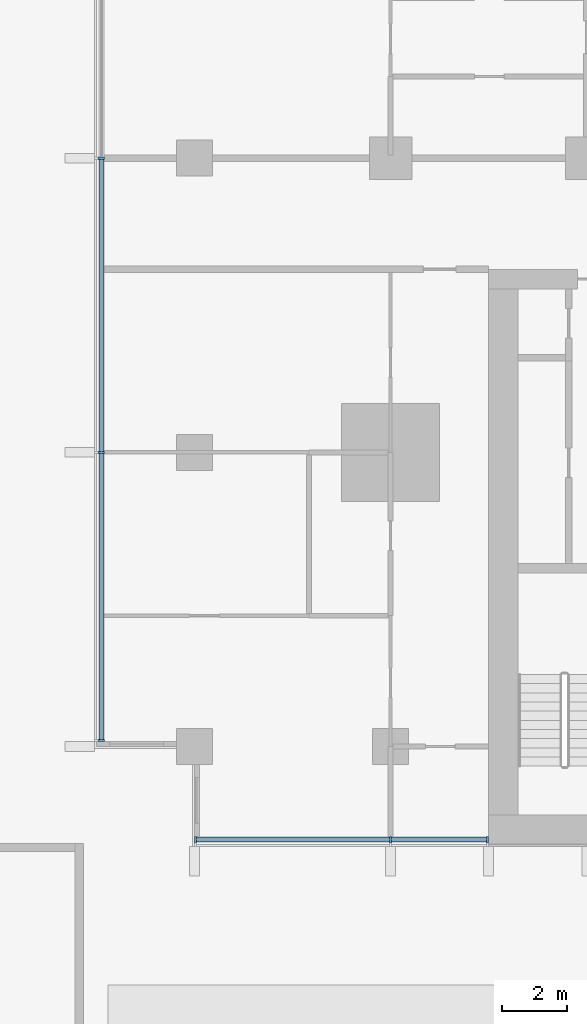
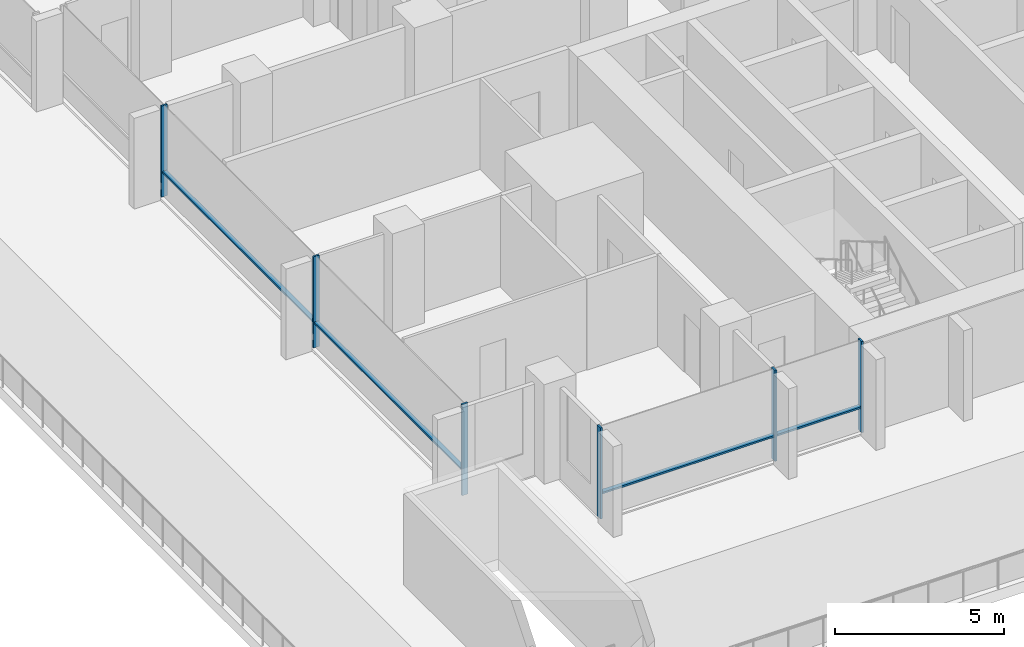
# One storey, part 2 of 25: 10 members, 2 elements without a shape of their own.
"""IFC4 building model written with IfcOpenShell, lengths in metres."""

from ifc_helpers import new_model, si_unit, direction, frame, origin, origin_2d, place, context, subcontext, project, spatial, rectangle, extrude, material, material_profile, profile_set, type_object, element, aggregate, save


model = new_model("IFC4")

# Units and contexts
model_context = context("Model", 3, precision=1e-05, world=origin(), true_north=direction((0.0, 1.0)))
body_context = subcontext(model_context, "Body", "Model", "MODEL_VIEW")
ifc_project = project(units=[si_unit("LENGTHUNIT", "METRE"), si_unit("AREAUNIT", "SQUARE_METRE"), si_unit("VOLUMEUNIT", "CUBIC_METRE"), si_unit("PLANEANGLEUNIT", "RADIAN"), si_unit("MASSUNIT", "GRAM", prefix="KILO")], contexts=[model_context])

# Site, building, storey
site_placement = place(None, origin())
site = spatial("IfcSite", under=ifc_project, at=site_placement, CompositionType="ELEMENT")
building_placement = place(site_placement, origin())
building = spatial("IfcBuilding", under=site, at=building_placement, Name="Finial Court Residences", CompositionType="ELEMENT")
storey_placement = place(building_placement, frame((0.0, 0.0, 32.5)))
storey = spatial("IfcBuildingStorey", under=building, at=storey_placement, Name="L06", CompositionType="ELEMENT", Elevation=32.5)

# Curtain wall, members
ifc_material = material(Name="Bronze anodised aluminium", Category="aluminium")
curtain_wall_type = type_object("IfcCurtainWallType", Name="Unitised curtain wall, lower and middle zones", PredefinedType="NOTDEFINED", material=ifc_material)
curtain_wall_1_placement = place(storey_placement, origin())
curtain_wall_1 = element("IfcCurtainWall", 1, at=curtain_wall_1_placement, inside=storey, type_object=curtain_wall_type, Name="E-L06-CW-S7", PredefinedType="NOTDEFINED")
ifc_material_profile_1 = material_profile(ifc_material, rectangle(XDim=0.199951171875, YDim=0.06494140625, at=origin_2d()), Name="CW1 mullion 65 x 200")
ifc_profile_set_1 = profile_set([ifc_material_profile_1], Name="Bronze anodised aluminium")
member_type_1 = type_object("IfcMemberType", Name="CW1 mullion 65 x 200", PredefinedType="MULLION", material=ifc_profile_set_1)
member_1_placement = place(storey_placement, frame((-22.467529296875, -25.35009765625, 0.0), z_axis=(0.0, 0.0, 1.0), x_axis=(0.0, 1.0, 0.0)))
member_1 = element("IfcMember", 2, at=member_1_placement, type_object=member_type_1, Name="CW1 mullion 1", PredefinedType="MULLION", context=body_context, shape_type="SweptSolid", body=[
    extrude(rectangle(XDim=0.199951171875, YDim=0.06494140625, at=origin_2d()), origin(), (0.0, 0.0, 1.0), 3.300048828125),
])
member_2_placement = place(storey_placement, frame((-16.5, -25.35009765625, 0.0), z_axis=(0.0, 0.0, 1.0), x_axis=(0.0, 1.0, 0.0)))
member_2 = element("IfcMember", 3, at=member_2_placement, type_object=member_type_1, Name="CW1 mullion 2", PredefinedType="MULLION", context=body_context, shape_type="SweptSolid", body=[
    extrude(rectangle(XDim=0.199951171875, YDim=0.06494140625, at=origin_2d()), origin(), (0.0, 0.0, 1.0), 3.300048828125),
])
member_3_placement = place(storey_placement, frame((-13.532470703125, -25.35009765625, 0.0), z_axis=(0.0, 0.0, 1.0), x_axis=(0.0, 1.0, 0.0)))
member_3 = element("IfcMember", 4, at=member_3_placement, type_object=member_type_1, Name="CW1 mullion 3", PredefinedType="MULLION", context=body_context, shape_type="SweptSolid", body=[
    extrude(rectangle(XDim=0.199951171875, YDim=0.06494140625, at=origin_2d()), origin(), (0.0, 0.0, 1.0), 3.300048828125),
])

curtain_wall_2_placement = place(storey_placement, origin())
curtain_wall_2 = element("IfcCurtainWall", 5, at=curtain_wall_2_placement, inside=storey, type_object=curtain_wall_type, Name="E-L06-CW-W9", PredefinedType="NOTDEFINED")
member_4_placement = place(storey_placement, frame((-25.35009765625, -22.3173828125, 0.0), z_axis=(0.0, 0.0, 1.0), x_axis=(-1.0, 0.0, 0.0)))
member_4 = element("IfcMember", 6, at=member_4_placement, type_object=member_type_1, Name="CW1 mullion 1", PredefinedType="MULLION", context=body_context, shape_type="SweptSolid", body=[
    extrude(rectangle(XDim=0.199951171875, YDim=0.06494140625, at=origin_2d()), origin(), (0.0, 0.0, 1.0), 3.300048828125),
])
member_5_placement = place(storey_placement, frame((-25.35009765625, -13.5, 0.0), z_axis=(0.0, 0.0, 1.0), x_axis=(-1.0, 0.0, 0.0)))
member_5 = element("IfcMember", 7, at=member_5_placement, type_object=member_type_1, Name="CW1 mullion 2", PredefinedType="MULLION", context=body_context, shape_type="SweptSolid", body=[
    extrude(rectangle(XDim=0.199951171875, YDim=0.06494140625, at=origin_2d()), origin(), (0.0, 0.0, 1.0), 3.300048828125),
])
member_6_placement = place(storey_placement, frame((-25.35009765625, -4.5, 0.0), z_axis=(0.0, 0.0, 1.0), x_axis=(-1.0, 0.0, 0.0)))
member_6 = element("IfcMember", 8, at=member_6_placement, type_object=member_type_1, Name="CW1 mullion 3", PredefinedType="MULLION", context=body_context, shape_type="SweptSolid", body=[
    extrude(rectangle(XDim=0.199951171875, YDim=0.06494140625, at=origin_2d()), origin(), (0.0, 0.0, 1.0), 3.300048828125),
])

# Member
ifc_material_profile_2 = material_profile(ifc_material, rectangle(XDim=0.14990234375, YDim=0.06494140625, at=origin_2d()), Name="CW1 transom 65 x 150")
ifc_profile_set_2 = profile_set([ifc_material_profile_2], Name="Bronze anodised aluminium")
member_type_2 = type_object("IfcMemberType", Name="CW1 transom 65 x 150", PredefinedType="USERDEFINED", material=ifc_profile_set_2)
member_7_placement = place(storey_placement, frame((-22.43505859375, -25.35009765625, 0.89990234375), z_axis=(1.0, 0.0, 0.0), x_axis=(0.0, 1.0, 0.0)))
member_7 = element("IfcMember", 9, at=member_7_placement, type_object=member_type_2, Name="CW1 transom 1.1", ObjectType="TRANSOM", PredefinedType="USERDEFINED", context=body_context, shape_type="SweptSolid", body=[
    extrude(rectangle(XDim=0.14990234375, YDim=0.06494140625, at=origin_2d()), origin(), (0.0, 0.0, 1.0), 5.902587890625),
])

member_8_placement = place(storey_placement, frame((-16.467529296875, -25.35009765625, 0.89990234375), z_axis=(1.0, 0.0, 0.0), x_axis=(0.0, 1.0, 0.0)))
member_8 = element("IfcMember", 10, at=member_8_placement, type_object=member_type_2, Name="CW1 transom 2.1", ObjectType="TRANSOM", PredefinedType="USERDEFINED", context=body_context, shape_type="SweptSolid", body=[
    extrude(rectangle(XDim=0.14990234375, YDim=0.06494140625, at=origin_2d()), origin(), (0.0, 0.0, 1.0), 2.902587890625),
])

aggregate(curtain_wall_1, [member_1, member_2, member_3, member_7, member_8])

member_9_placement = place(storey_placement, frame((-25.35009765625, -22.284912109375, 0.89990234375), z_axis=(0.0, 1.0, 0.0), x_axis=(-1.0, 0.0, 0.0)))
member_9 = element("IfcMember", 11, at=member_9_placement, type_object=member_type_2, Name="CW1 transom 1.1", ObjectType="TRANSOM", PredefinedType="USERDEFINED", context=body_context, shape_type="SweptSolid", body=[
    extrude(rectangle(XDim=0.14990234375, YDim=0.06494140625, at=origin_2d()), origin(), (0.0, 0.0, 1.0), 8.75244140625),
])

member_10_placement = place(storey_placement, frame((-25.35009765625, -13.467529296875, 0.89990234375), z_axis=(0.0, 1.0, 0.0), x_axis=(-1.0, 0.0, 0.0)))
member_10 = element("IfcMember", 12, at=member_10_placement, type_object=member_type_2, Name="CW1 transom 2.1", ObjectType="TRANSOM", PredefinedType="USERDEFINED", context=body_context, shape_type="SweptSolid", body=[
    extrude(rectangle(XDim=0.14990234375, YDim=0.06494140625, at=origin_2d()), origin(), (0.0, 0.0, 1.0), 8.93505859375),
])

aggregate(curtain_wall_2, [member_4, member_5, member_6, member_9, member_10])

save(model, "model.ifc")
